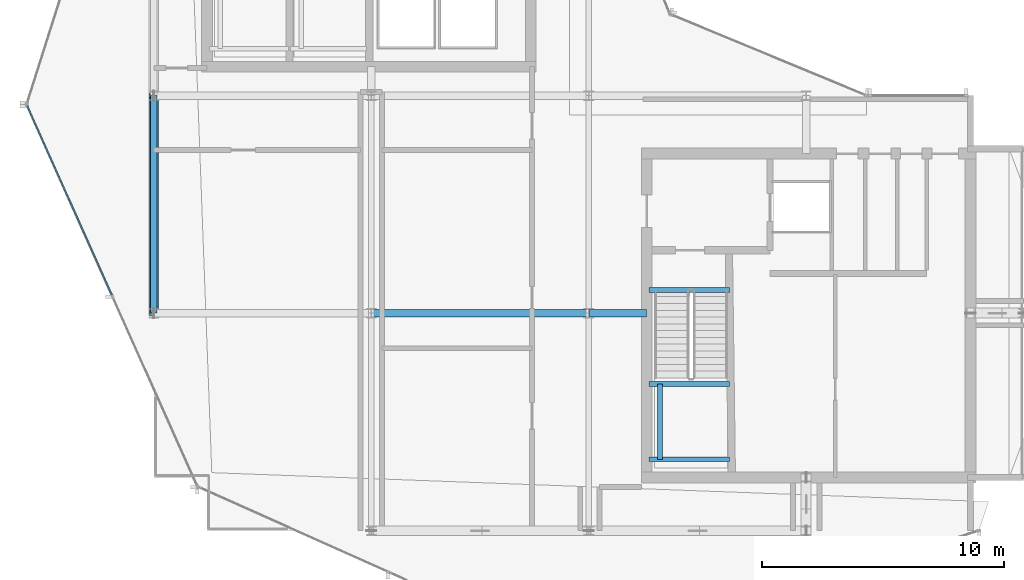
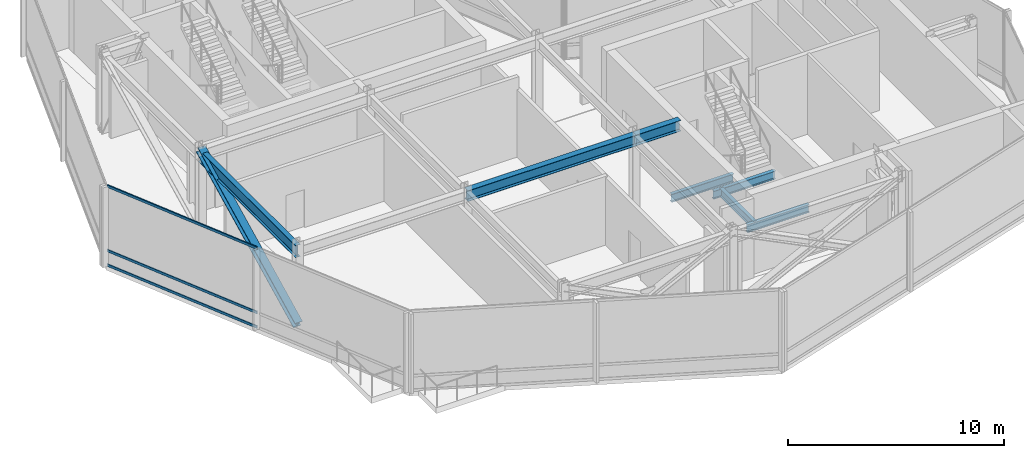
# One storey, part 5 of 23: 7 beams, 4 members, 1 element without a shape of its own.
"""IFC4 building model written with IfcOpenShell, lengths in metres."""

from ifc_helpers import new_model, si_unit, direction, frame, origin, origin_2d, place, context, subcontext, project, spatial, hollow_rectangle, i_section, extrude, material, layer, layer_set, material_profile, profile_set, type_object, element, aggregate, save


model = new_model("IFC4")

# Units and contexts
model_context = context("Model", 3, precision=1e-05, world=origin(), true_north=direction((0.0, 1.0)))
body_context = subcontext(model_context, "Body", "Model", "MODEL_VIEW")
ifc_project = project(units=[si_unit("LENGTHUNIT", "METRE"), si_unit("AREAUNIT", "SQUARE_METRE"), si_unit("VOLUMEUNIT", "CUBIC_METRE"), si_unit("PLANEANGLEUNIT", "RADIAN"), si_unit("MASSUNIT", "GRAM", prefix="KILO")], contexts=[model_context])

# Site, building, storey
site_placement = place(None, origin())
site = spatial("IfcSite", under=ifc_project, at=site_placement, CompositionType="ELEMENT")
building_placement = place(site_placement, origin())
building = spatial("IfcBuilding", under=site, at=building_placement, Name="Solvaryn Broadcast Tower", CompositionType="ELEMENT")
storey_placement = place(building_placement, frame((0.0, 0.0, 285.199951171875)))
storey = spatial("IfcBuildingStorey", under=building, at=storey_placement, Name="L72", CompositionType="ELEMENT", Elevation=285.199951171875)

# Beams
ifc_material_1 = material(Name="Steel ASTM A992 Grade 50", Category="steel")
ifc_material_profile_1 = material_profile(ifc_material_1, i_section(OverallWidth=0.323974609375, OverallDepth=0.611083984375, WebThickness=0.0126953125, FlangeThickness=0.01904296875, FilletRadius=0.014892578125, at=origin_2d()))
ifc_profile_set_1 = profile_set([ifc_material_profile_1], Name="Steel ASTM A992 Grade 50")
beam_type_1 = type_object("IfcBeamType", Name="BM-B1-W24X104", PredefinedType="BEAM", material=ifc_profile_set_1)
beam_1_placement = place(storey_placement, frame((18.0, 18.0, 4.214599609375), z_axis=(1.0, 0.0, 0.0), x_axis=(0.0, 1.0, 0.0)))
element("IfcBeam", 1, at=beam_1_placement, inside=storey, type_object=beam_type_1, Name="L72 Primary Beam X (18-27 @ Y=18)", PredefinedType="BEAM", context=body_context, shape_type="SweptSolid", body=[
    extrude(i_section(OverallWidth=0.323974609375, OverallDepth=0.611083984375, WebThickness=0.0126953125, FlangeThickness=0.01904296875, FilletRadius=0.014892578125, at=origin_2d()), origin(), (0.0, 0.0, 1.0), 9.0),
])
beam_2_placement = place(storey_placement, frame((27.0, 18.0, 4.214599609375), z_axis=(1.0, 0.0, 0.0), x_axis=(0.0, 1.0, 0.0)))
element("IfcBeam", 2, at=beam_2_placement, inside=storey, type_object=beam_type_1, Name="L72 Core Tie Beam CTE4", PredefinedType="BEAM", context=body_context, shape_type="SweptSolid", body=[
    extrude(i_section(OverallWidth=0.323974609375, OverallDepth=0.611083984375, WebThickness=0.0126953125, FlangeThickness=0.01904296875, FilletRadius=0.014892578125, at=origin_2d()), origin(), (0.0, 0.0, 1.0), 2.39990234375),
])
ifc_material_2 = material(Name="Steel ASTM A992 Grade 50", Category="steel")
ifc_material_profile_2 = material_profile(ifc_material_2, i_section(OverallWidth=0.18994140625, OverallDepth=0.45703125, WebThickness=0.009033203125, FlangeThickness=0.014404296875, FilletRadius=0.011962890625, at=origin_2d()))
ifc_profile_set_2 = profile_set([ifc_material_profile_2], Name="Steel ASTM A992 Grade 50")
beam_type_2 = type_object("IfcBeamType", Name="BM-B4-W18X50", PredefinedType="BEAM", material=ifc_profile_set_2)
for number, where, z_axis, x_axis, name in (
    (3, (29.5, 18.9599609375, -0.558349609375), (1.0, 0.0, 0.0), (0.0, 1.0, 0.0), "L72 ST3 Stair Well Trimmer Beam"),
    (4, (29.5, 11.949951171875, 1.971435546875), (1.0, 0.0, 0.0), (0.0, 1.0, 0.0), "L72 ST3 Landing Support Beam 1A"),
    (5, (29.5, 15.070068359375, 1.971435546875), (1.0, 0.0, 0.0), (0.0, 1.0, 0.0), "L72 ST3 Landing Support Beam 1B"),
):
    element("IfcBeam", number, at=place(storey_placement, frame(where, z_axis=z_axis, x_axis=x_axis)), inside=storey, type_object=beam_type_2, Name=name, PredefinedType="BEAM", context=body_context, shape_type="SweptSolid", body=[
        extrude(i_section(OverallWidth=0.18994140625, OverallDepth=0.45703125, WebThickness=0.009033203125, FlangeThickness=0.014404296875, FilletRadius=0.011962890625, at=origin_2d()), origin(), (0.0, 0.0, 1.0), 3.320068359375),
    ])
beam_3_placement = place(storey_placement, frame((29.949951171875, 11.949951171875, 1.971435546875), z_axis=(0.0, 1.0, 0.0), x_axis=(-1.0, 0.0, 0.0)))
element("IfcBeam", 6, at=beam_3_placement, inside=storey, type_object=beam_type_2, Name="L72 ST3 Landing Cross Stringer 1C", PredefinedType="BEAM", context=body_context, shape_type="SweptSolid", body=[
    extrude(i_section(OverallWidth=0.18994140625, OverallDepth=0.45703125, WebThickness=0.009033203125, FlangeThickness=0.014404296875, FilletRadius=0.011962890625, at=origin_2d()), origin(), (0.0, 0.0, 1.0), 3.1201171875),
])
ifc_material_3 = material(Name="Steel ASTM A992 Grade 50", Category="steel")
ifc_material_profile_3 = material_profile(ifc_material_3, i_section(OverallWidth=0.256103515625, OverallDepth=0.693115234375, WebThickness=0.014404296875, FlangeThickness=0.023681640625, FilletRadius=0.01611328125, at=origin_2d()))
ifc_profile_set_3 = profile_set([ifc_material_profile_3], Name="Steel ASTM A992 Grade 50")
beam_type_3 = type_object("IfcBeamType", Name="BM-SP3-W27X114", PredefinedType="USERDEFINED", material=ifc_profile_set_3)
beam_4_placement = place(storey_placement, frame((9.0, 18.0, 4.173583984375), z_axis=(0.0, 1.0, 0.0), x_axis=(-1.0, 0.0, 0.0)))
element("IfcBeam", 7, at=beam_4_placement, inside=storey, type_object=beam_type_3, Name="L72 Spandrel Beam Y (18-27 @ X=9)", ObjectType="SPANDREL", PredefinedType="USERDEFINED", context=body_context, shape_type="SweptSolid", body=[
    extrude(i_section(OverallWidth=0.256103515625, OverallDepth=0.693115234375, WebThickness=0.014404296875, FlangeThickness=0.023681640625, FilletRadius=0.01611328125, at=origin_2d()), origin(), (0.0, 0.0, 1.0), 9.0),
])

# Curtain wall, members
ifc_material_4 = material(Name="Aluminium and Terracotta Unitised Curtain Wall", Category="masonry")
ifc_layer = layer(ifc_material_4, 0.199951171875)
ifc_layer_set = layer_set([ifc_layer], Name="CW-SYS2-LOWMID")
curtain_wall_type = type_object("IfcCurtainWallType", Name="CW-SYS2-LOWMID", PredefinedType="NOTDEFINED", material=ifc_layer_set)
curtain_wall_placement = place(storey_placement, origin())
curtain_wall = element("IfcCurtainWall", 8, at=curtain_wall_placement, inside=storey, type_object=curtain_wall_type, Name="L72 Curtain Wall DR2", PredefinedType="NOTDEFINED")
ifc_material_5 = material(Name="Anodised Aluminium 6063-T6", Category="aluminium")
ifc_material_profile_4 = material_profile(ifc_material_5, hollow_rectangle(XDim=0.06494140625, YDim=0.14990234375, WallThickness=0.00390625, InnerFilletRadius=0.00390625, OuterFilletRadius=0.008056640625, at=origin_2d()))
ifc_profile_set_4 = profile_set([ifc_material_profile_4], Name="Anodised Aluminium 6063-T6")
member_type_1 = type_object("IfcMemberType", Name="CW-TRN-150", PredefinedType="USERDEFINED", material=ifc_profile_set_4)
member_1_placement = place(storey_placement, frame((3.762451171875, 26.581298828125, 0.030029296875), z_axis=(0.408459074172, -0.91277663463, 0.0), x_axis=(0.91277663463, 0.408459074172, 0.0)))
member_1 = element("IfcMember", 9, at=member_1_placement, type_object=member_type_1, Name="CWS2 transom 1.1", ObjectType="TRANSOM", PredefinedType="USERDEFINED", context=body_context, shape_type="SweptSolid", body=[
    extrude(hollow_rectangle(XDim=0.06494140625, YDim=0.14990234375, WallThickness=0.00390625, InnerFilletRadius=0.00390625, OuterFilletRadius=0.008056640625, at=origin_2d()), origin(), (0.0, 0.0, 1.0), 8.575439453125),
])
member_2_placement = place(storey_placement, frame((3.762451171875, 26.581298828125, 0.85009765625), z_axis=(0.408459074172, -0.91277663463, 0.0), x_axis=(0.91277663463, 0.408459074172, 0.0)))
member_2 = element("IfcMember", 10, at=member_2_placement, type_object=member_type_1, Name="CWS2 transom 1.2", ObjectType="TRANSOM", PredefinedType="USERDEFINED", context=body_context, shape_type="SweptSolid", body=[
    extrude(hollow_rectangle(XDim=0.06494140625, YDim=0.14990234375, WallThickness=0.00390625, InnerFilletRadius=0.00390625, OuterFilletRadius=0.008056640625, at=origin_2d()), origin(), (0.0, 0.0, 1.0), 8.575439453125),
])
member_3_placement = place(storey_placement, frame((3.762451171875, 26.581298828125, 4.489990234375), z_axis=(0.408459074172, -0.91277663463, 0.0), x_axis=(0.91277663463, 0.408459074172, 0.0)))
member_3 = element("IfcMember", 11, at=member_3_placement, type_object=member_type_1, Name="CWS2 transom 1.3", ObjectType="TRANSOM", PredefinedType="USERDEFINED", context=body_context, shape_type="SweptSolid", body=[
    extrude(hollow_rectangle(XDim=0.06494140625, YDim=0.14990234375, WallThickness=0.00390625, InnerFilletRadius=0.00390625, OuterFilletRadius=0.008056640625, at=origin_2d()), origin(), (0.0, 0.0, 1.0), 8.575439453125),
])
aggregate(curtain_wall, [member_1, member_2, member_3])

# Member
ifc_material_6 = material(Name="Steel ASTM A913 Grade 65", Category="steel")
ifc_material_profile_5 = material_profile(ifc_material_6, i_section(OverallWidth=0.39697265625, OverallDepth=0.386962890625, WebThickness=0.02099609375, FlangeThickness=0.033203125, FilletRadius=0.014892578125, at=origin_2d()))
ifc_profile_set_5 = profile_set([ifc_material_profile_5], Name="Steel ASTM A913 Grade 65")
member_type_2 = type_object("IfcMemberType", Name="MB-BELT-2", PredefinedType="BRACE", material=ifc_profile_set_5)
member_4_placement = place(storey_placement, frame((9.0, 18.0, 0.02001953125), z_axis=(0.0, 0.895222302563, 0.44561982563), x_axis=(-1.0, 0.0, 0.0)))
element("IfcMember", 12, at=member_4_placement, inside=storey, type_object=member_type_2, Name="L72 West Belt Diagonal 3", PredefinedType="BRACE", context=body_context, shape_type="SweptSolid", body=[
    extrude(i_section(OverallWidth=0.39697265625, OverallDepth=0.386962890625, WebThickness=0.02099609375, FlangeThickness=0.033203125, FilletRadius=0.014892578125, at=origin_2d()), origin(), (0.0, 0.0, 1.0), 10.053466796875),
])

save(model, "model.ifc")
